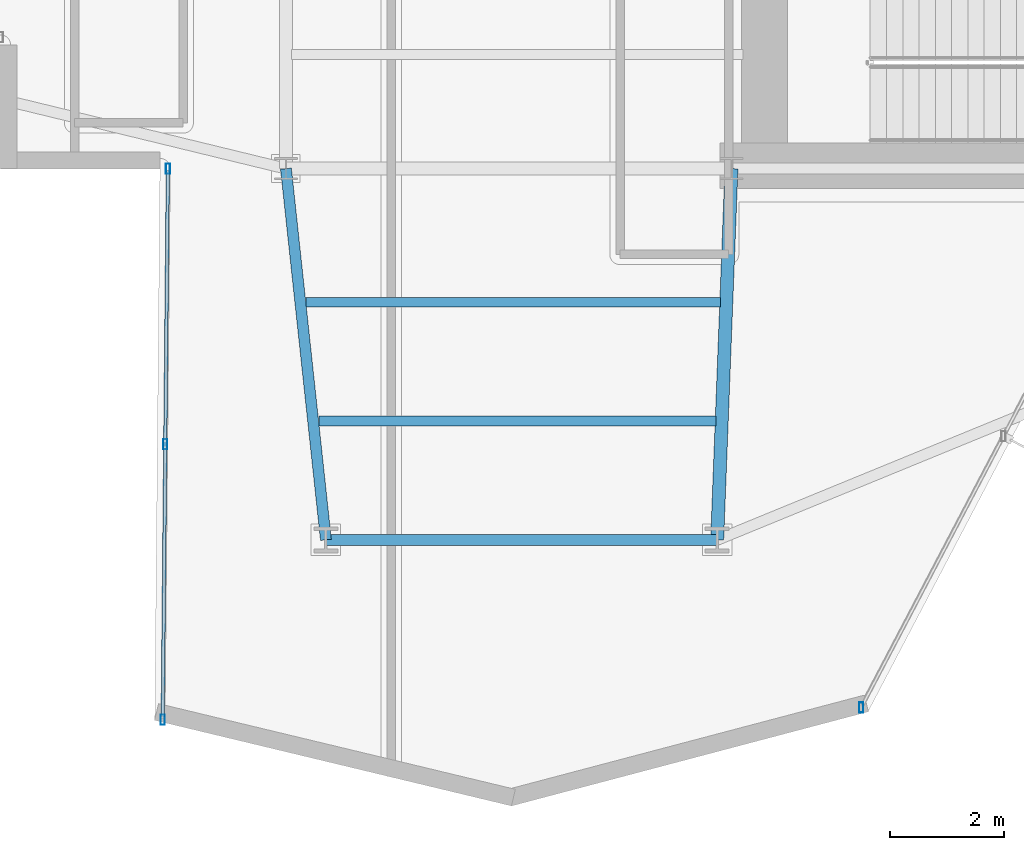
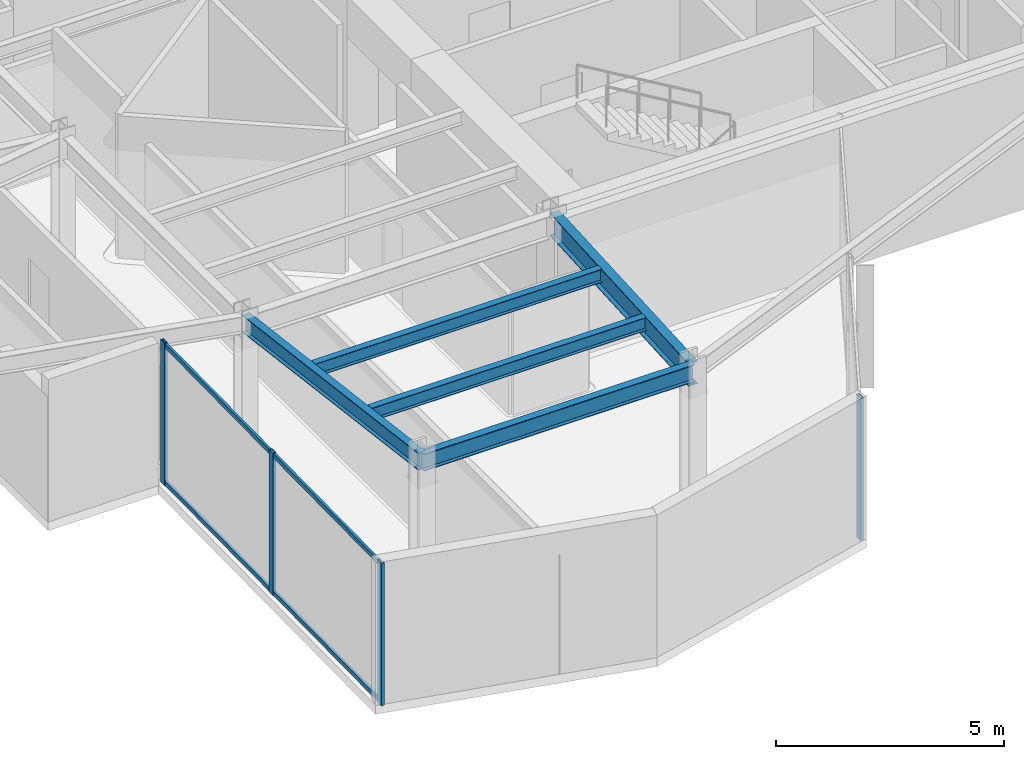
# One storey, part 4 of 25: 6 members, 5 beams, 2 elements without a shape of their own.
"""IFC4 building model written with IfcOpenShell, lengths in metres."""

from ifc_helpers import new_model, si_unit, direction, frame, origin, origin_2d, place, context, subcontext, project, spatial, hollow_rectangle, i_section, extrude, material, layer, layer_set, material_profile, profile_set, type_object, element, aggregate, save


model = new_model("IFC4")

# Units and contexts
model_context = context("Model", 3, precision=1e-05, world=origin(), true_north=direction((0.0, 1.0)))
body_context = subcontext(model_context, "Body", "Model", "MODEL_VIEW")
ifc_project = project(units=[si_unit("LENGTHUNIT", "METRE"), si_unit("AREAUNIT", "SQUARE_METRE"), si_unit("VOLUMEUNIT", "CUBIC_METRE"), si_unit("PLANEANGLEUNIT", "RADIAN"), si_unit("MASSUNIT", "GRAM", prefix="KILO")], contexts=[model_context])

# Site, building, storey
site_placement = place(None, origin())
site = spatial("IfcSite", under=ifc_project, at=site_placement, CompositionType="ELEMENT")
building_placement = place(site_placement, origin())
building = spatial("IfcBuilding", under=site, at=building_placement, Name="Veymaron Broadcast Tower", CompositionType="ELEMENT")
storey_placement = place(building_placement, frame((0.0, 0.0, 145.199951171875)))
storey = spatial("IfcBuildingStorey", under=building, at=storey_placement, Name="L33", CompositionType="ELEMENT", Elevation=145.199951171875)

# Beams
ifc_material_1 = material(Name="Structural steel ASTM A992 Gr 50", Category="steel")
ifc_material_profile_1 = material_profile(ifc_material_1, i_section(OverallWidth=0.22802734375, OverallDepth=0.60791015625, WebThickness=0.01123046875, FlangeThickness=0.017333984375, at=origin_2d()), Name="W610X113")
ifc_profile_set_1 = profile_set([ifc_material_profile_1], Name="Structural steel ASTM A992 Gr 50")
beam_type_1 = type_object("IfcBeamType", Name="BM-FG2", PredefinedType="BEAM", material=ifc_profile_set_1)
beam_1_placement = place(storey_placement, frame((39.0, 16.0, 3.506103515625), z_axis=(-0.038433122101, -0.999261174631, 0.0), x_axis=(0.999261174631, -0.038433122101, 0.0)))
element("IfcBeam", 1, at=beam_1_placement, inside=storey, type_object=beam_type_1, Name="L33 primary structural floor girder", PredefinedType="BEAM", context=body_context, shape_type="SweptSolid", body=[
    extrude(i_section(OverallWidth=0.22802734375, OverallDepth=0.60791015625, WebThickness=0.01123046875, FlangeThickness=0.017333984375, at=origin_2d()), origin(), (0.0, 0.0, 1.0), 6.5048828125),
])
ifc_material_profile_2 = material_profile(ifc_material_1, i_section(OverallWidth=0.1708984375, OverallDepth=0.35498046875, WebThickness=0.007080078125, FlangeThickness=0.01171875, at=origin_2d()), Name="W360X51")
ifc_profile_set_2 = profile_set([ifc_material_profile_2], Name="Structural steel ASTM A992 Gr 50")
beam_type_2 = type_object("IfcBeamType", Name="BM-JS2", PredefinedType="JOIST", material=ifc_profile_set_2)
beam_2_placement = place(storey_placement, frame((31.552001953125, 13.659912109375, 3.632568359375), z_axis=(1.0, 0.0, 0.0), x_axis=(0.0, 1.0, 0.0)))
element("IfcBeam", 2, at=beam_2_placement, inside=storey, type_object=beam_type_2, Name="L33 Arm-C secondary joist 1", PredefinedType="JOIST", context=body_context, shape_type="SweptSolid", body=[
    extrude(i_section(OverallWidth=0.1708984375, OverallDepth=0.35498046875, WebThickness=0.007080078125, FlangeThickness=0.01171875, at=origin_2d()), origin(), (0.0, 0.0, 1.0), 7.258056640625),
])
beam_3_placement = place(storey_placement, frame((31.77587890625, 11.580078125, 3.632568359375), z_axis=(1.0, 0.0, 0.0), x_axis=(0.0, 1.0, 0.0)))
element("IfcBeam", 3, at=beam_3_placement, inside=storey, type_object=beam_type_2, Name="L33 Arm-C secondary joist 2", PredefinedType="JOIST", context=body_context, shape_type="SweptSolid", body=[
    extrude(i_section(OverallWidth=0.1708984375, OverallDepth=0.35498046875, WebThickness=0.007080078125, FlangeThickness=0.01171875, at=origin_2d()), origin(), (0.0, 0.0, 1.0), 6.9541015625),
])
ifc_material_profile_3 = material_profile(ifc_material_1, i_section(OverallWidth=0.19091796875, OverallDepth=0.4599609375, WebThickness=0.010009765625, FlangeThickness=0.01611328125, at=origin_2d()), Name="W460X82")
ifc_profile_set_3 = profile_set([ifc_material_profile_3], Name="Structural steel ASTM A992 Gr 50")
beam_type_3 = type_object("IfcBeamType", Name="BM-SP1", PredefinedType="SPANDREL", material=ifc_profile_set_3)
beam_4_placement = place(storey_placement, frame((31.199951171875, 16.0, 3.580078125), z_axis=(0.107065816505, -0.994251935344, 0.0), x_axis=(0.994251935344, 0.107065816505, 0.0)))
element("IfcBeam", 4, at=beam_4_placement, inside=storey, type_object=beam_type_3, Name="L33 primary structural floor girder", PredefinedType="SPANDREL", context=body_context, shape_type="SweptSolid", body=[
    extrude(i_section(OverallWidth=0.19091796875, OverallDepth=0.4599609375, WebThickness=0.010009765625, FlangeThickness=0.01611328125, at=origin_2d()), origin(), (0.0, 0.0, 1.0), 6.53759765625),
])
beam_5_placement = place(storey_placement, frame((31.89990234375, 9.5, 3.580078125), z_axis=(1.0, 0.0, 0.0), x_axis=(0.0, 1.0, 0.0)))
element("IfcBeam", 5, at=beam_5_placement, inside=storey, type_object=beam_type_3, Name="L33 primary structural floor girder", PredefinedType="SPANDREL", context=body_context, shape_type="SweptSolid", body=[
    extrude(i_section(OverallWidth=0.19091796875, OverallDepth=0.4599609375, WebThickness=0.010009765625, FlangeThickness=0.01611328125, at=origin_2d()), origin(), (0.0, 0.0, 1.0), 6.85009765625),
])

# Curtain wall, members
ifc_material_2 = material(Name="Anodised aluminium AA 6063-T6 and laminated low-E dark glass", Category="aluminium")
ifc_layer = layer(ifc_material_2, 0.179931640625)
ifc_layer_set = layer_set([ifc_layer], Name="Anodised aluminium AA 6063-T6 and laminated low-E dark glass")
curtain_wall_type = type_object("IfcCurtainWallType", Name="CW-SYS-03", PredefinedType="NOTDEFINED", material=ifc_layer_set)
curtain_wall_1_placement = place(storey_placement, origin())
curtain_wall_1 = element("IfcCurtainWall", 6, at=curtain_wall_1_placement, inside=storey, type_object=curtain_wall_type, Name="L33 dark-glass curtain wall CW-L33-E17-1", PredefinedType="NOTDEFINED")
ifc_material_3 = material(Name="Anodised aluminium AA 6063-T6", Category="aluminium")
ifc_material_profile_4 = material_profile(ifc_material_3, hollow_rectangle(XDim=0.074951171875, YDim=0.179931640625, WallThickness=0.0048828125, at=origin_2d()), Name="AL180X75X5")
ifc_profile_set_4 = profile_set([ifc_material_profile_4], Name="Anodised aluminium AA 6063-T6")
member_type_1 = type_object("IfcMemberType", Name="CW-MUL-02", PredefinedType="MULLION", material=ifc_profile_set_4)
member_1_placement = place(storey_placement, frame((29.132568359375, 15.998779296875, 0.0), z_axis=(0.0, 0.0, 1.0), x_axis=(1.0, 0.0, 0.0)))
member_1 = element("IfcMember", 7, at=member_1_placement, type_object=member_type_1, Name="CW-L33-E17-1 mullion 0", PredefinedType="MULLION", context=body_context, shape_type="SweptSolid", body=[
    extrude(hollow_rectangle(XDim=0.074951171875, YDim=0.179931640625, WallThickness=0.0048828125, at=origin_2d()), origin(), (0.0, 0.0, 1.0), 3.81005859375),
])
member_2_placement = place(storey_placement, frame((29.08740234375, 11.173583984375, 0.0), z_axis=(0.0, 0.0, 1.0), x_axis=(1.0, 0.0, 0.0)))
member_2 = element("IfcMember", 8, at=member_2_placement, type_object=member_type_1, Name="CW-L33-E17-1 mullion 1", PredefinedType="MULLION", context=body_context, shape_type="SweptSolid", body=[
    extrude(hollow_rectangle(XDim=0.074951171875, YDim=0.179931640625, WallThickness=0.0048828125, at=origin_2d()), origin(), (0.0, 0.0, 1.0), 3.81005859375),
])
member_3_placement = place(storey_placement, frame((29.042236328125, 6.3486328125, 0.0), z_axis=(0.0, 0.0, 1.0), x_axis=(1.0, 0.0, 0.0)))
member_3 = element("IfcMember", 9, at=member_3_placement, type_object=member_type_1, Name="CW-L33-E17-1 mullion 2", PredefinedType="MULLION", context=body_context, shape_type="SweptSolid", body=[
    extrude(hollow_rectangle(XDim=0.074951171875, YDim=0.179931640625, WallThickness=0.0048828125, at=origin_2d()), origin(), (0.0, 0.0, 1.0), 3.81005859375),
])

# Curtain wall, member
curtain_wall_2_placement = place(storey_placement, origin())
curtain_wall_2 = element("IfcCurtainWall", 10, at=curtain_wall_2_placement, inside=storey, type_object=curtain_wall_type, Name="L33 dark-glass curtain wall CW-L33-E20-1", PredefinedType="NOTDEFINED")
member_4_placement = place(storey_placement, frame((41.273681640625, 6.56494140625, 0.0), z_axis=(0.0, 0.0, 1.0), x_axis=(1.0, 0.0, 0.0)))
member_4 = element("IfcMember", 11, at=member_4_placement, type_object=member_type_1, Name="CW-L33-E20-1 mullion 0", PredefinedType="MULLION", context=body_context, shape_type="SweptSolid", body=[
    extrude(hollow_rectangle(XDim=0.074951171875, YDim=0.179931640625, WallThickness=0.0048828125, at=origin_2d()), origin(), (0.0, 0.0, 1.0), 3.81005859375),
])
aggregate(curtain_wall_2, [member_4])

# Member
ifc_material_profile_5 = material_profile(ifc_material_3, hollow_rectangle(XDim=0.06005859375, YDim=0.1201171875, WallThickness=0.00390625, at=origin_2d()), Name="AL120X60X4")
ifc_profile_set_5 = profile_set([ifc_material_profile_5], Name="Anodised aluminium AA 6063-T6")
member_type_2 = type_object("IfcMemberType", Name="CW-TRN-02", PredefinedType="USERDEFINED", material=ifc_profile_set_5)
member_5_placement = place(storey_placement, frame((29.132080078125, 15.94873046875, 0.070068359375), z_axis=(-0.009356136215, -0.9999562304, 0.0), x_axis=(0.9999562304, -0.009356136215, 0.0)))
member_5 = element("IfcMember", 12, at=member_5_placement, type_object=member_type_2, Name="CW-L33-E17-1 transom B", ObjectType="TRANSOM", PredefinedType="USERDEFINED", context=body_context, shape_type="SweptSolid", body=[
    extrude(hollow_rectangle(XDim=0.06005859375, YDim=0.1201171875, WallThickness=0.00390625, at=origin_2d()), origin(), (0.0, 0.0, 1.0), 9.550537109375),
])

member_6_placement = place(storey_placement, frame((29.132080078125, 15.94873046875, 3.739990234375), z_axis=(-0.009356136215, -0.9999562304, 0.0), x_axis=(0.9999562304, -0.009356136215, 0.0)))
member_6 = element("IfcMember", 13, at=member_6_placement, type_object=member_type_2, Name="CW-L33-E17-1 transom T", ObjectType="TRANSOM", PredefinedType="USERDEFINED", context=body_context, shape_type="SweptSolid", body=[
    extrude(hollow_rectangle(XDim=0.06005859375, YDim=0.1201171875, WallThickness=0.00390625, at=origin_2d()), origin(), (0.0, 0.0, 1.0), 9.550537109375),
])

aggregate(curtain_wall_1, [member_1, member_2, member_3, member_5, member_6])

save(model, "model.ifc")
